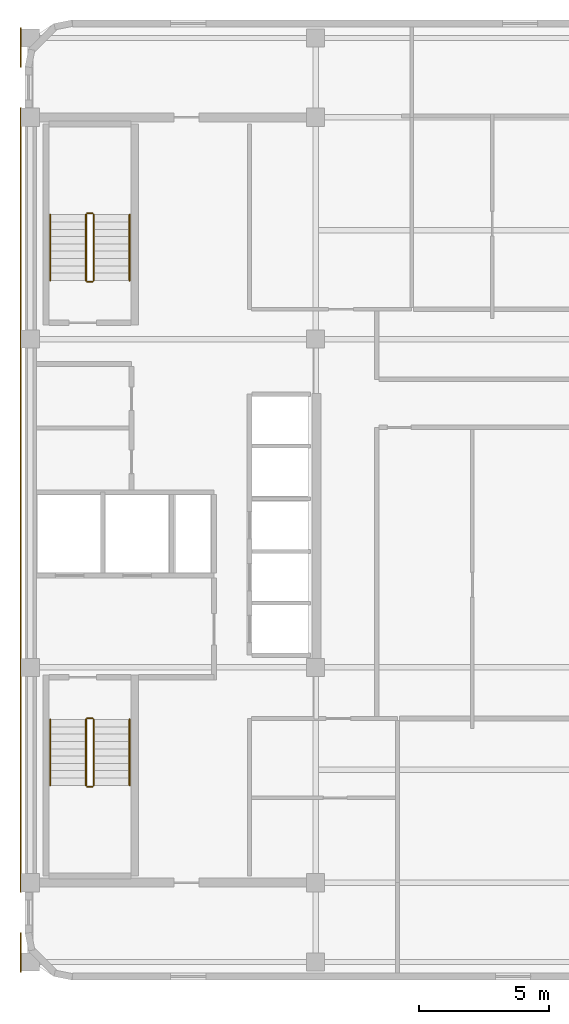
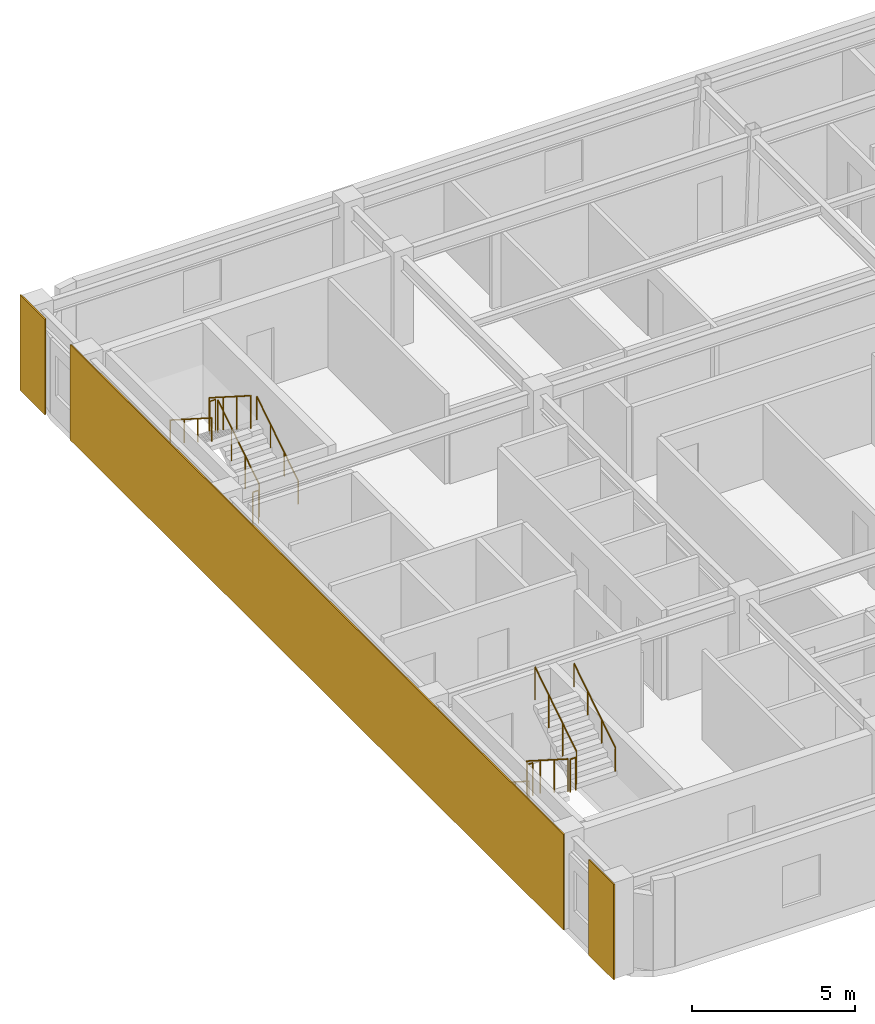
# One storey, part 6 of 6: 12 railings, 3 coverings.
"""IFC4 building model written with IfcOpenShell, lengths in metres."""

from ifc_helpers import new_model, si_unit, direction, frame, origin, origin_2d, place, context, subcontext, project, spatial, rectangle, circle, extrude, material, layer, layer_set, type_object, element, save


model = new_model("IFC4")

# Units and contexts
model_context = context("Model", 3, precision=1e-05, world=origin(), true_north=direction((0.0, 1.0)))
body_context = subcontext(model_context, "Body", "Model", "MODEL_VIEW")
ifc_project = project(units=[si_unit("LENGTHUNIT", "METRE"), si_unit("AREAUNIT", "SQUARE_METRE"), si_unit("VOLUMEUNIT", "CUBIC_METRE"), si_unit("PLANEANGLEUNIT", "RADIAN"), si_unit("MASSUNIT", "GRAM", prefix="KILO")], contexts=[model_context])

# Site, building, storey
site_placement = place(None, origin())
site = spatial("IfcSite", under=ifc_project, at=site_placement, CompositionType="ELEMENT")
building_placement = place(site_placement, origin())
building = spatial("IfcBuilding", under=site, at=building_placement, Name="Ochreholt Gables", CompositionType="ELEMENT")
storey_placement = place(building_placement, frame((0.0, 0.0, 220.199951171875)))
storey = spatial("IfcBuildingStorey", under=building, at=storey_placement, Name="L57", CompositionType="ELEMENT", Elevation=220.199951171875)

# Coverings
ifc_material_1 = material(Name="Glazed Ochre Terracotta Rainscreen Cladding", Category="masonry")
ifc_layer = layer(ifc_material_1, 0.044921875, Name="Glazed Ochre Terracotta Rainscreen Cladding")
ifc_layer_set = layer_set([ifc_layer], Name="Glazed Ochre Terracotta Rainscreen Cladding")
covering_type = type_object("IfcCoveringType", Name="COV-CLAD-TC", PredefinedType="CLADDING", material=ifc_layer_set)
covering_placement = place(storey_placement, frame((23.827880859375, 24.0, 0.010009765625), z_axis=(0.0, 0.0, 1.0), x_axis=(0.0, 1.0, 0.0)))
element("IfcCovering", 1, at=covering_placement, inside=storey, type_object=covering_type, Name="L57 West Core Terracotta Rainscreen Cladding", PredefinedType="CLADDING", context=body_context, shape_type="SweptSolid", body=[
    extrude(rectangle(XDim=30.239990234375, YDim=0.044921875, at=origin_2d()), origin(), (0.0, 0.0, 1.0), 3.580078125),
])
for number, where, z_axis, x_axis, name in (
    (2, (23.827880859375, 6.56005859375, 0.010009765625), (0.0, 0.0, 1.0), (0.0, 1.0, 0.0), "L57 South-West Pier Terracotta Cladding"),
    (3, (23.827880859375, 41.43994140625, 0.010009765625), (0.0, 0.0, 1.0), (0.0, 1.0, 0.0), "L57 North-West Pier Terracotta Cladding"),
):
    element("IfcCovering", number, at=place(storey_placement, frame(where, z_axis=z_axis, x_axis=x_axis)), inside=storey, type_object=covering_type, Name=name, PredefinedType="CLADDING", context=body_context, shape_type="SweptSolid", body=[
        extrude(rectangle(XDim=1.52001953125, YDim=0.044921875, at=origin_2d()), origin(), (0.0, 0.0, 1.0), 3.580078125),
    ])

# Railings
ifc_material_2 = material(Name="Painted Steel Stair Guardrail", Category="steel")
railing_type_1 = type_object("IfcRailingType", Name="RL-ST-GUARD", PredefinedType="GUARDRAIL", material=ifc_material_2)
railing_1_placement = place(storey_placement, frame((26.35009765625, 15.5400390625, 0.179931640625)))
element("IfcRailing", 4, at=railing_1_placement, inside=storey, type_object=railing_type_1, Name="L57 ST-1 stair guard 1", PredefinedType="GUARDRAIL", context=body_context, shape_type="SweptSolid", body=[
    extrude(circle(Radius=0.02392578125, at=origin_2d()), frame((0.0, 0.0, 1.22607421875), z_axis=(0.0, -0.842912820907, 0.538050161556), x_axis=(1.0, 0.0, 0.0)), (0.0, 0.0, 1.0), 3.010986328125),
    extrude(circle(Radius=0.02099609375, at=origin_2d()), origin(), (0.0, 0.0, 1.0), 1.201904296875),
    extrude(circle(Radius=0.02099609375, at=origin_2d()), frame((0.0, -0.845947265625, 0.5400390625)), (0.0, 0.0, 1.0), 1.201904296875),
    extrude(circle(Radius=0.02099609375, at=origin_2d()), frame((0.0, -1.692138671875, 1.080078125)), (0.0, 0.0, 1.0), 1.201904296875),
    extrude(circle(Radius=0.02099609375, at=origin_2d()), frame((0.0, -2.5380859375, 1.6201171875)), (0.0, 0.0, 1.0), 1.201904296875),
])
railing_2_placement = place(storey_placement, frame((26.39990234375, 12.951904296875, 1.800048828125)))
element("IfcRailing", 5, at=railing_2_placement, inside=storey, type_object=railing_type_1, Name="L57 ST-1 stair guard 2", PredefinedType="GUARDRAIL", context=body_context, shape_type="SweptSolid", body=[
    extrude(circle(Radius=0.02392578125, at=origin_2d()), frame((0.0, 0.0, 1.22607421875), z_axis=(1.0, 0.0, 0.0), x_axis=(0.0, 1.0, 0.0)), (0.0, 0.0, 1.0), 0.2001953125),
    extrude(circle(Radius=0.02099609375, at=origin_2d()), origin(), (0.0, 0.0, 1.0), 1.201904296875),
    extrude(circle(Radius=0.02099609375, at=origin_2d()), frame((0.2001953125, 0.0, 0.0)), (0.0, 0.0, 1.0), 1.201904296875),
])
railing_3_placement = place(storey_placement, frame((26.64990234375, 13.001953125, 1.97998046875)))
element("IfcRailing", 6, at=railing_3_placement, inside=storey, type_object=railing_type_1, Name="L57 ST-1 stair guard 3", PredefinedType="GUARDRAIL", context=body_context, shape_type="SweptSolid", body=[
    extrude(circle(Radius=0.02392578125, at=origin_2d()), frame((0.0, 0.0, 1.22607421875), z_axis=(0.0, 0.842912820907, 0.538050161556), x_axis=(-1.0, 0.0, 0.0)), (0.0, 0.0, 1.0), 3.010986328125),
    extrude(circle(Radius=0.02099609375, at=origin_2d()), origin(), (0.0, 0.0, 1.0), 1.201904296875),
    extrude(circle(Radius=0.02099609375, at=origin_2d()), frame((0.0, 0.845947265625, 0.5400390625)), (0.0, 0.0, 1.0), 1.201904296875),
    extrude(circle(Radius=0.02099609375, at=origin_2d()), frame((0.0, 1.692138671875, 1.080078125)), (0.0, 0.0, 1.0), 1.201904296875),
    extrude(circle(Radius=0.02099609375, at=origin_2d()), frame((0.0, 2.5380859375, 1.6201171875)), (0.0, 0.0, 1.0), 1.201904296875),
])
railing_4_placement = place(storey_placement, frame((26.39990234375, 15.590087890625, 0.0)))
element("IfcRailing", 7, at=railing_4_placement, inside=storey, type_object=railing_type_1, Name="L57 ST-1 stair guard 4", PredefinedType="GUARDRAIL", context=body_context, shape_type="SweptSolid", body=[
    extrude(circle(Radius=0.02392578125, at=origin_2d()), frame((0.0, 0.0, 1.22607421875), z_axis=(1.0, 0.0, 0.0), x_axis=(0.0, 1.0, 0.0)), (0.0, 0.0, 1.0), 0.2001953125),
    extrude(circle(Radius=0.02099609375, at=origin_2d()), origin(), (0.0, 0.0, 1.0), 1.201904296875),
    extrude(circle(Radius=0.02099609375, at=origin_2d()), frame((0.2001953125, 0.0, 0.0)), (0.0, 0.0, 1.0), 1.201904296875),
])
railing_5_placement = place(storey_placement, frame((26.64990234375, 32.4599609375, 0.179931640625)))
element("IfcRailing", 8, at=railing_5_placement, inside=storey, type_object=railing_type_1, Name="L57 ST-2 stair guard 1", PredefinedType="GUARDRAIL", context=body_context, shape_type="SweptSolid", body=[
    extrude(circle(Radius=0.02392578125, at=origin_2d()), frame((0.0, 0.0, 1.22607421875), z_axis=(0.0, 0.842912820907, 0.538050161556), x_axis=(-1.0, 0.0, 0.0)), (0.0, 0.0, 1.0), 3.010986328125),
    extrude(circle(Radius=0.02099609375, at=origin_2d()), origin(), (0.0, 0.0, 1.0), 1.201904296875),
    extrude(circle(Radius=0.02099609375, at=origin_2d()), frame((0.0, 0.845947265625, 0.5400390625)), (0.0, 0.0, 1.0), 1.201904296875),
    extrude(circle(Radius=0.02099609375, at=origin_2d()), frame((0.0, 1.692138671875, 1.080078125)), (0.0, 0.0, 1.0), 1.201904296875),
    extrude(circle(Radius=0.02099609375, at=origin_2d()), frame((0.0, 2.5380859375, 1.6201171875)), (0.0, 0.0, 1.0), 1.201904296875),
])
railing_6_placement = place(storey_placement, frame((26.60009765625, 35.048095703125, 1.800048828125)))
element("IfcRailing", 9, at=railing_6_placement, inside=storey, type_object=railing_type_1, Name="L57 ST-2 stair guard 2", PredefinedType="GUARDRAIL", context=body_context, shape_type="SweptSolid", body=[
    extrude(circle(Radius=0.02392578125, at=origin_2d()), frame((0.0, 0.0, 1.22607421875), z_axis=(-1.0, 0.0, 0.0), x_axis=(0.0, -1.0, 0.0)), (0.0, 0.0, 1.0), 0.2001953125),
    extrude(circle(Radius=0.02099609375, at=origin_2d()), origin(), (0.0, 0.0, 1.0), 1.201904296875),
    extrude(circle(Radius=0.02099609375, at=origin_2d()), frame((-0.2001953125, 0.0, 0.0)), (0.0, 0.0, 1.0), 1.201904296875),
])
railing_7_placement = place(storey_placement, frame((26.35009765625, 34.998046875, 1.97998046875)))
element("IfcRailing", 10, at=railing_7_placement, inside=storey, type_object=railing_type_1, Name="L57 ST-2 stair guard 3", PredefinedType="GUARDRAIL", context=body_context, shape_type="SweptSolid", body=[
    extrude(circle(Radius=0.02392578125, at=origin_2d()), frame((0.0, 0.0, 1.22607421875), z_axis=(0.0, -0.842912820907, 0.538050161556), x_axis=(1.0, 0.0, 0.0)), (0.0, 0.0, 1.0), 3.010986328125),
    extrude(circle(Radius=0.02099609375, at=origin_2d()), origin(), (0.0, 0.0, 1.0), 1.201904296875),
    extrude(circle(Radius=0.02099609375, at=origin_2d()), frame((0.0, -0.845947265625, 0.5400390625)), (0.0, 0.0, 1.0), 1.201904296875),
    extrude(circle(Radius=0.02099609375, at=origin_2d()), frame((0.0, -1.692138671875, 1.080078125)), (0.0, 0.0, 1.0), 1.201904296875),
    extrude(circle(Radius=0.02099609375, at=origin_2d()), frame((0.0, -2.5380859375, 1.6201171875)), (0.0, 0.0, 1.0), 1.201904296875),
])
railing_8_placement = place(storey_placement, frame((26.60009765625, 32.409912109375, 0.0)))
element("IfcRailing", 11, at=railing_8_placement, inside=storey, type_object=railing_type_1, Name="L57 ST-2 stair guard 4", PredefinedType="GUARDRAIL", context=body_context, shape_type="SweptSolid", body=[
    extrude(circle(Radius=0.02392578125, at=origin_2d()), frame((0.0, 0.0, 1.22607421875), z_axis=(-1.0, 0.0, 0.0), x_axis=(0.0, -1.0, 0.0)), (0.0, 0.0, 1.0), 0.2001953125),
    extrude(circle(Radius=0.02099609375, at=origin_2d()), origin(), (0.0, 0.0, 1.0), 1.201904296875),
    extrude(circle(Radius=0.02099609375, at=origin_2d()), frame((-0.2001953125, 0.0, 0.0)), (0.0, 0.0, 1.0), 1.201904296875),
])
ifc_material_3 = material(Name="Brushed Stainless Steel Wall Handrail", Category="steel")
railing_type_2 = type_object("IfcRailingType", Name="RL-ST-HAND", PredefinedType="HANDRAIL", material=ifc_material_3)
railing_9_placement = place(storey_placement, frame((24.969970703125, 15.5400390625, 0.179931640625)))
element("IfcRailing", 12, at=railing_9_placement, inside=storey, type_object=railing_type_2, Name="L57 ST-1 stair handrail 1", PredefinedType="HANDRAIL", context=body_context, shape_type="SweptSolid", body=[
    extrude(circle(Radius=0.02392578125, at=origin_2d()), frame((0.0, 0.0, 0.8759765625), z_axis=(0.0, -0.842912820907, 0.538050161556), x_axis=(1.0, 0.0, 0.0)), (0.0, 0.0, 1.0), 3.010986328125),
    extrude(circle(Radius=0.02099609375, at=origin_2d()), origin(), (0.0, 0.0, 1.0), 0.851806640625),
    extrude(circle(Radius=0.02099609375, at=origin_2d()), frame((0.0, -0.845947265625, 0.5400390625)), (0.0, 0.0, 1.0), 0.851806640625),
    extrude(circle(Radius=0.02099609375, at=origin_2d()), frame((0.0, -1.692138671875, 1.080078125)), (0.0, 0.0, 1.0), 0.851806640625),
    extrude(circle(Radius=0.02099609375, at=origin_2d()), frame((0.0, -2.5380859375, 1.6201171875)), (0.0, 0.0, 1.0), 0.851806640625),
])
for number, where, name in (
    (13, (28.030029296875, 13.001953125, 1.97998046875), "L57 ST-1 stair handrail 2"),
    (14, (28.030029296875, 32.4599609375, 0.179931640625), "L57 ST-2 stair handrail 1"),
):
    element("IfcRailing", number, at=place(storey_placement, frame(where)), inside=storey, type_object=railing_type_2, Name=name, PredefinedType="HANDRAIL", context=body_context, shape_type="SweptSolid", body=[
        extrude(circle(Radius=0.02392578125, at=origin_2d()), frame((0.0, 0.0, 0.8759765625), z_axis=(0.0, 0.842912820907, 0.538050161556), x_axis=(-1.0, 0.0, 0.0)), (0.0, 0.0, 1.0), 3.010986328125),
        extrude(circle(Radius=0.02099609375, at=origin_2d()), origin(), (0.0, 0.0, 1.0), 0.851806640625),
        extrude(circle(Radius=0.02099609375, at=origin_2d()), frame((0.0, 0.845947265625, 0.5400390625)), (0.0, 0.0, 1.0), 0.851806640625),
        extrude(circle(Radius=0.02099609375, at=origin_2d()), frame((0.0, 1.692138671875, 1.080078125)), (0.0, 0.0, 1.0), 0.851806640625),
        extrude(circle(Radius=0.02099609375, at=origin_2d()), frame((0.0, 2.5380859375, 1.6201171875)), (0.0, 0.0, 1.0), 0.851806640625),
    ])
railing_10_placement = place(storey_placement, frame((24.969970703125, 34.998046875, 1.97998046875)))
element("IfcRailing", 15, at=railing_10_placement, inside=storey, type_object=railing_type_2, Name="L57 ST-2 stair handrail 2", PredefinedType="HANDRAIL", context=body_context, shape_type="SweptSolid", body=[
    extrude(circle(Radius=0.02392578125, at=origin_2d()), frame((0.0, 0.0, 0.8759765625), z_axis=(0.0, -0.842912820907, 0.538050161556), x_axis=(1.0, 0.0, 0.0)), (0.0, 0.0, 1.0), 3.010986328125),
    extrude(circle(Radius=0.02099609375, at=origin_2d()), origin(), (0.0, 0.0, 1.0), 0.851806640625),
    extrude(circle(Radius=0.02099609375, at=origin_2d()), frame((0.0, -0.845947265625, 0.5400390625)), (0.0, 0.0, 1.0), 0.851806640625),
    extrude(circle(Radius=0.02099609375, at=origin_2d()), frame((0.0, -1.692138671875, 1.080078125)), (0.0, 0.0, 1.0), 0.851806640625),
    extrude(circle(Radius=0.02099609375, at=origin_2d()), frame((0.0, -2.5380859375, 1.6201171875)), (0.0, 0.0, 1.0), 0.851806640625),
])

save(model, "model.ifc")
